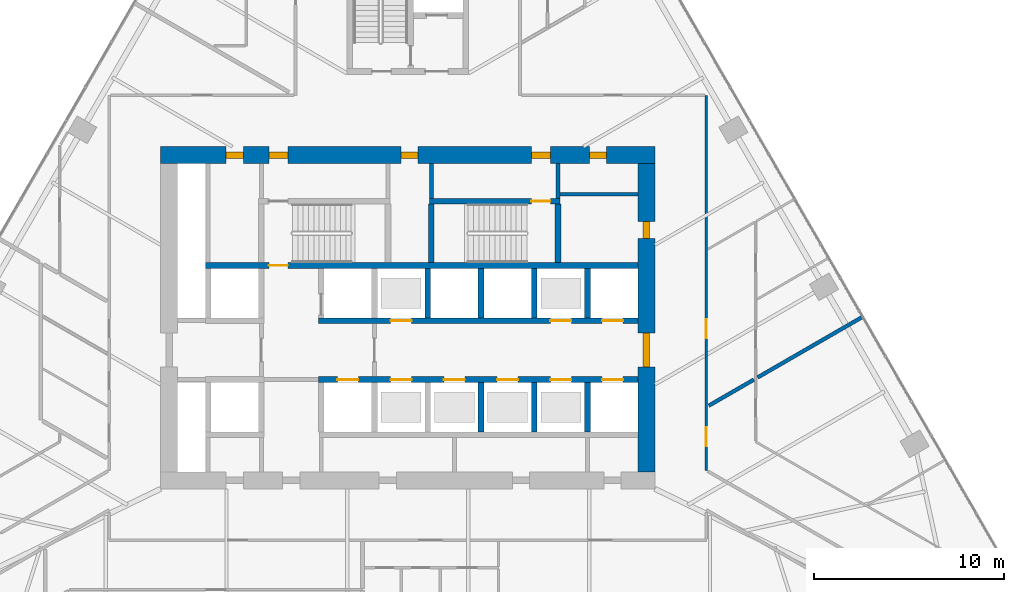
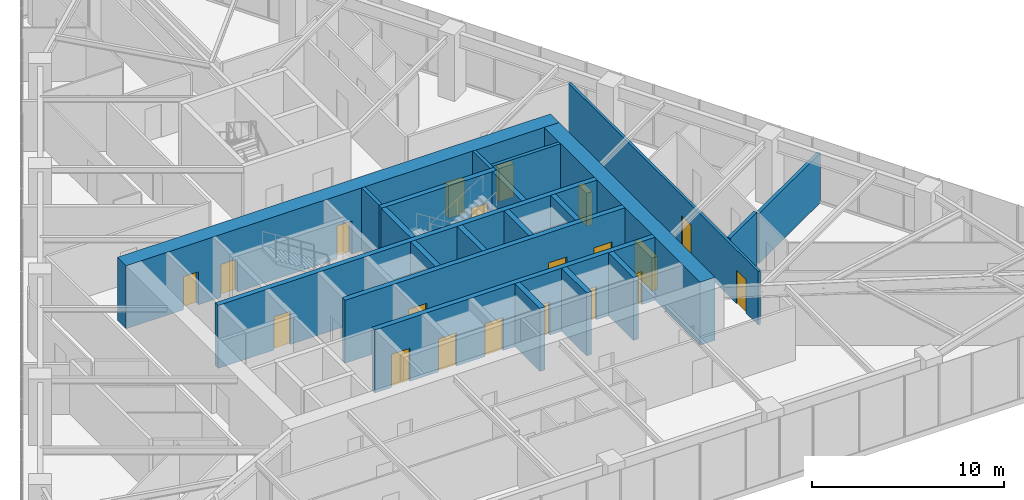
# One storey, part 21 of 25: 21 walls, 20 doors, 20 openings.
"""IFC4 building model written with IfcOpenShell, lengths in metres."""

from ifc_helpers import new_model, si_unit, direction, frame, frame_2d, origin, place, context, subcontext, project, spatial, rectangle, extrude, material, layer, layer_set, type_object, element, fill, save


model = new_model("IFC4")

# Units and contexts
model_context = context("Model", 3, precision=1e-05, world=origin(), true_north=direction((0.0, 1.0)))
body_context = subcontext(model_context, "Body", "Model", "MODEL_VIEW")
ifc_project = project(units=[si_unit("LENGTHUNIT", "METRE"), si_unit("AREAUNIT", "SQUARE_METRE"), si_unit("VOLUMEUNIT", "CUBIC_METRE"), si_unit("PLANEANGLEUNIT", "RADIAN"), si_unit("MASSUNIT", "GRAM", prefix="KILO")], contexts=[model_context])

# Site, building, storey
site_placement = place(None, origin())
site = spatial("IfcSite", under=ifc_project, at=site_placement, CompositionType="ELEMENT")
building_placement = place(site_placement, origin())
building = spatial("IfcBuilding", under=site, at=building_placement, Name="Firuza Gate Tower and Library", CompositionType="ELEMENT")
storey_placement = place(building_placement, frame((0.0, 0.0, 61.0)))
storey = spatial("IfcBuildingStorey", under=building, at=storey_placement, Name="L13", CompositionType="ELEMENT", Elevation=61.0)

# Walls
ifc_material_1 = material(Name="Plasterboard on steel studs", Category="steel")
ifc_layer_1 = layer(ifc_material_1, 0.199951171875)
ifc_layer_set_1 = layer_set([ifc_layer_1], Name="Core partition 200 EI 60")
wall_type_1 = type_object("IfcWallType", Name="Core partition 200 EI 60", PredefinedType="PARTITIONING", material=ifc_layer_set_1)
wall_1_placement = place(storey_placement, frame((83.0, 81.4951171875, 0.0), z_axis=(0.0, 0.0, 1.0), x_axis=(1.0, 0.0, 0.0)))
element("IfcWall", 1, at=wall_1_placement, inside=storey, type_object=wall_type_1, Name="Core partition L13 4", PredefinedType="PARTITIONING", context=body_context, shape_type="SweptSolid", body=[
    extrude(rectangle(XDim=4.10009765625, YDim=0.199951171875, at=frame_2d((2.050048828125, 0.0))), origin(), (0.0, 0.0, 1.0), 4.0),
])
for number, where, z_axis, x_axis, name in (
    (2, (76.239990234375, 81.280029296875, 0.0), (0.0, 0.0, 1.0), (0.0, 1.0, 0.0), "Core partition L13 13"),
    (3, (82.89990234375, 81.280029296875, 0.0), (0.0, 0.0, 1.0), (0.0, 1.0, 0.0), "Core partition L13 15"),
):
    element("IfcWall", number, at=place(storey_placement, frame(where, z_axis=z_axis, x_axis=x_axis)), inside=storey, type_object=wall_type_1, Name=name, PredefinedType="PARTITIONING", context=body_context, shape_type="SweptSolid", body=[
        extrude(rectangle(XDim=1.820068359375, YDim=0.199951171875, at=frame_2d((0.91015625, 0.0))), origin(), (0.0, 0.0, 1.0), 4.0),
    ])

# Wall, openings, doors
ifc_material_2 = material(Name="Concrete C80/95", Category="concrete")
ifc_layer_2 = layer(ifc_material_2, 0.300048828125)
ifc_layer_set_2 = layer_set([ifc_layer_2], Name="Core wall 300 C80/95")
wall_type_2 = type_object("IfcWallType", Name="Core wall 300 C80/95", PredefinedType="SHEAR", material=ifc_layer_set_2)
wall_2_placement = place(storey_placement, frame((70.300048828125, 71.75, 0.0), z_axis=(0.0, 0.0, 1.0), x_axis=(1.0, 0.0, 0.0)))
wall_2 = element("IfcWall", 4, at=wall_2_placement, inside=storey, type_object=wall_type_2, Name="Core wall L13 8", PredefinedType="SHEAR", context=body_context, shape_type="SweptSolid", body=[
    extrude(rectangle(XDim=16.800048828125, YDim=0.300048828125, at=frame_2d((8.39990234375, 0.0))), origin(), (0.0, 0.0, 1.0), 4.0),
])
opening_1_placement = place(wall_2_placement, frame((1.0, 0.0, 0.0)))
opening_1 = element("IfcOpeningElement", 5, at=opening_1_placement, cuts=wall_2, Name="Opening LD-FF1-L13", PredefinedType="OPENING", context=body_context, shape_type="SweptSolid", body=[
    extrude(rectangle(XDim=1.10009765625, YDim=2.10009765625, at=frame_2d((0.550048828125, 1.050048828125))), frame((0.0, 0.16015625, 0.0), z_axis=(0.0, -1.0, 0.0), x_axis=(1.0, 0.0, 0.0)), (0.0, 0.0, 1.0), 0.320068359375),
])
opening_2_placement = place(wall_2_placement, frame((3.800048828125, 0.0, 0.0)))
opening_2 = element("IfcOpeningElement", 6, at=opening_2_placement, cuts=wall_2, Name="Opening LD-LR1-L13", PredefinedType="OPENING", context=body_context, shape_type="SweptSolid", body=[
    extrude(rectangle(XDim=1.10009765625, YDim=2.10009765625, at=frame_2d((0.550048828125, 1.050048828125))), frame((0.0, 0.16015625, 0.0), z_axis=(0.0, -1.0, 0.0), x_axis=(1.0, 0.0, 0.0)), (0.0, 0.0, 1.0), 0.320068359375),
])
opening_3_placement = place(wall_2_placement, frame((6.60009765625, 0.0, 0.0)))
opening_3 = element("IfcOpeningElement", 7, at=opening_3_placement, cuts=wall_2, Name="Opening LD-LR2-L13", PredefinedType="OPENING", context=body_context, shape_type="SweptSolid", body=[
    extrude(rectangle(XDim=1.10009765625, YDim=2.10009765625, at=frame_2d((0.550048828125, 1.050048828125))), frame((0.0, 0.16015625, 0.0), z_axis=(0.0, -1.0, 0.0), x_axis=(1.0, 0.0, 0.0)), (0.0, 0.0, 1.0), 0.320068359375),
])
opening_4_placement = place(wall_2_placement, frame((9.39990234375, 0.0, 0.0)))
opening_4 = element("IfcOpeningElement", 8, at=opening_4_placement, cuts=wall_2, Name="Opening LD-LR3-L13", PredefinedType="OPENING", context=body_context, shape_type="SweptSolid", body=[
    extrude(rectangle(XDim=1.10009765625, YDim=2.10009765625, at=frame_2d((0.550048828125, 1.050048828125))), frame((0.0, 0.16015625, 0.0), z_axis=(0.0, -1.0, 0.0), x_axis=(1.0, 0.0, 0.0)), (0.0, 0.0, 1.0), 0.320068359375),
])
opening_5_placement = place(wall_2_placement, frame((12.199951171875, 0.0, 0.0)))
opening_5 = element("IfcOpeningElement", 9, at=opening_5_placement, cuts=wall_2, Name="Opening LD-LR5-L13", PredefinedType="OPENING", context=body_context, shape_type="SweptSolid", body=[
    extrude(rectangle(XDim=1.10009765625, YDim=2.10009765625, at=frame_2d((0.550048828125, 1.050048828125))), frame((0.0, 0.16015625, 0.0), z_axis=(0.0, -1.0, 0.0), x_axis=(1.0, 0.0, 0.0)), (0.0, 0.0, 1.0), 0.320068359375),
])
opening_6_placement = place(wall_2_placement, frame((14.925048828125, 0.0, 0.0)))
opening_6 = element("IfcOpeningElement", 10, at=opening_6_placement, cuts=wall_2, Name="Opening LD-LR7-L13", PredefinedType="OPENING", context=body_context, shape_type="SweptSolid", body=[
    extrude(rectangle(XDim=1.10009765625, YDim=2.10009765625, at=frame_2d((0.550048828125, 1.050048828125))), frame((0.0, 0.16015625, 0.0), z_axis=(0.0, -1.0, 0.0), x_axis=(1.0, 0.0, 0.0)), (0.0, 0.0, 1.0), 0.320068359375),
])
ifc_material_3 = material(Name="Stainless steel", Category="steel")
door_type_1 = type_object("IfcDoorType", Name="Lift landing door 1100x2100", OperationType="DOUBLE_DOOR_SLIDING", PredefinedType="DOOR", material=ifc_material_3)
door_1_placement = place(opening_1_placement, origin())
door_1 = element("IfcDoor", 11, at=door_1_placement, inside=storey, type_object=door_type_1, Name="Landing door FF1 L13", OperationType="DOUBLE_DOOR_SLIDING", OverallHeight=2.10009765625, OverallWidth=1.10009765625, PredefinedType="DOOR", context=body_context, shape_type="SweptSolid", body=[
    extrude(rectangle(XDim=1.10009765625, YDim=2.10009765625, at=frame_2d((0.550048828125, 1.050048828125))), frame((0.0, 0.02490234375, 0.0), z_axis=(0.0, -1.0, 0.0), x_axis=(1.0, 0.0, 0.0)), (0.0, 0.0, 1.0), 0.050048828125),
])
fill(opening_1, door_1)
door_2_placement = place(opening_2_placement, origin())
door_2 = element("IfcDoor", 12, at=door_2_placement, inside=storey, type_object=door_type_1, Name="Landing door LR1 L13", OperationType="DOUBLE_DOOR_SLIDING", OverallHeight=2.10009765625, OverallWidth=1.10009765625, PredefinedType="DOOR", context=body_context, shape_type="SweptSolid", body=[
    extrude(rectangle(XDim=1.10009765625, YDim=2.10009765625, at=frame_2d((0.550048828125, 1.050048828125))), frame((0.0, 0.02490234375, 0.0), z_axis=(0.0, -1.0, 0.0), x_axis=(1.0, 0.0, 0.0)), (0.0, 0.0, 1.0), 0.050048828125),
])
fill(opening_2, door_2)
door_3_placement = place(opening_3_placement, origin())
door_3 = element("IfcDoor", 13, at=door_3_placement, inside=storey, type_object=door_type_1, Name="Landing door LR2 L13", OperationType="DOUBLE_DOOR_SLIDING", OverallHeight=2.10009765625, OverallWidth=1.10009765625, PredefinedType="DOOR", context=body_context, shape_type="SweptSolid", body=[
    extrude(rectangle(XDim=1.10009765625, YDim=2.10009765625, at=frame_2d((0.550048828125, 1.050048828125))), frame((0.0, 0.02490234375, 0.0), z_axis=(0.0, -1.0, 0.0), x_axis=(1.0, 0.0, 0.0)), (0.0, 0.0, 1.0), 0.050048828125),
])
fill(opening_3, door_3)
door_4_placement = place(opening_4_placement, origin())
door_4 = element("IfcDoor", 14, at=door_4_placement, inside=storey, type_object=door_type_1, Name="Landing door LR3 L13", OperationType="DOUBLE_DOOR_SLIDING", OverallHeight=2.10009765625, OverallWidth=1.10009765625, PredefinedType="DOOR", context=body_context, shape_type="SweptSolid", body=[
    extrude(rectangle(XDim=1.10009765625, YDim=2.10009765625, at=frame_2d((0.550048828125, 1.050048828125))), frame((0.0, 0.02490234375, 0.0), z_axis=(0.0, -1.0, 0.0), x_axis=(1.0, 0.0, 0.0)), (0.0, 0.0, 1.0), 0.050048828125),
])
fill(opening_4, door_4)
door_5_placement = place(opening_5_placement, origin())
door_5 = element("IfcDoor", 15, at=door_5_placement, inside=storey, type_object=door_type_1, Name="Landing door LR5 L13", OperationType="DOUBLE_DOOR_SLIDING", OverallHeight=2.10009765625, OverallWidth=1.10009765625, PredefinedType="DOOR", context=body_context, shape_type="SweptSolid", body=[
    extrude(rectangle(XDim=1.10009765625, YDim=2.10009765625, at=frame_2d((0.550048828125, 1.050048828125))), frame((0.0, 0.02490234375, 0.0), z_axis=(0.0, -1.0, 0.0), x_axis=(1.0, 0.0, 0.0)), (0.0, 0.0, 1.0), 0.050048828125),
])
fill(opening_5, door_5)
door_6_placement = place(opening_6_placement, origin())
door_6 = element("IfcDoor", 16, at=door_6_placement, inside=storey, type_object=door_type_1, Name="Landing door LR7 L13", OperationType="DOUBLE_DOOR_SLIDING", OverallHeight=2.10009765625, OverallWidth=1.10009765625, PredefinedType="DOOR", context=body_context, shape_type="SweptSolid", body=[
    extrude(rectangle(XDim=1.10009765625, YDim=2.10009765625, at=frame_2d((0.550048828125, 1.050048828125))), frame((0.0, 0.02490234375, 0.0), z_axis=(0.0, -1.0, 0.0), x_axis=(1.0, 0.0, 0.0)), (0.0, 0.0, 1.0), 0.050048828125),
])
fill(opening_6, door_6)

wall_3_placement = place(storey_placement, frame((70.300048828125, 74.85009765625, 0.0), z_axis=(0.0, 0.0, 1.0), x_axis=(1.0, 0.0, 0.0)))
wall_3 = element("IfcWall", 17, at=wall_3_placement, inside=storey, type_object=wall_type_2, Name="Core wall L13 10", PredefinedType="SHEAR", context=body_context, shape_type="SweptSolid", body=[
    extrude(rectangle(XDim=16.800048828125, YDim=0.300048828125, at=frame_2d((8.39990234375, 0.0))), origin(), (0.0, 0.0, 1.0), 4.0),
])
opening_7_placement = place(wall_3_placement, frame((3.800048828125, 0.0, 0.0)))
opening_7 = element("IfcOpeningElement", 18, at=opening_7_placement, cuts=wall_3, Name="Opening LD-LR4-L13", PredefinedType="OPENING", context=body_context, shape_type="SweptSolid", body=[
    extrude(rectangle(XDim=1.10009765625, YDim=2.10009765625, at=frame_2d((0.550048828125, 1.050048828125))), frame((0.0, 0.16015625, 0.0), z_axis=(0.0, -1.0, 0.0), x_axis=(1.0, 0.0, 0.0)), (0.0, 0.0, 1.0), 0.320068359375),
])
opening_8_placement = place(wall_3_placement, frame((12.199951171875, 0.0, 0.0)))
opening_8 = element("IfcOpeningElement", 19, at=opening_8_placement, cuts=wall_3, Name="Opening LD-LR6-L13", PredefinedType="OPENING", context=body_context, shape_type="SweptSolid", body=[
    extrude(rectangle(XDim=1.10009765625, YDim=2.10009765625, at=frame_2d((0.550048828125, 1.050048828125))), frame((0.0, 0.16015625, 0.0), z_axis=(0.0, -1.0, 0.0), x_axis=(1.0, 0.0, 0.0)), (0.0, 0.0, 1.0), 0.320068359375),
])
opening_9_placement = place(wall_3_placement, frame((14.925048828125, 0.0, 0.0)))
opening_9 = element("IfcOpeningElement", 20, at=opening_9_placement, cuts=wall_3, Name="Opening LD-LR8-L13", PredefinedType="OPENING", context=body_context, shape_type="SweptSolid", body=[
    extrude(rectangle(XDim=1.10009765625, YDim=2.10009765625, at=frame_2d((0.550048828125, 1.050048828125))), frame((0.0, 0.16015625, 0.0), z_axis=(0.0, -1.0, 0.0), x_axis=(1.0, 0.0, 0.0)), (0.0, 0.0, 1.0), 0.320068359375),
])
door_7_placement = place(opening_7_placement, origin())
door_7 = element("IfcDoor", 21, at=door_7_placement, inside=storey, type_object=door_type_1, Name="Landing door LR4 L13", OperationType="DOUBLE_DOOR_SLIDING", OverallHeight=2.10009765625, OverallWidth=1.10009765625, PredefinedType="DOOR", context=body_context, shape_type="SweptSolid", body=[
    extrude(rectangle(XDim=1.10009765625, YDim=2.10009765625, at=frame_2d((0.550048828125, 1.050048828125))), frame((0.0, 0.02490234375, 0.0), z_axis=(0.0, -1.0, 0.0), x_axis=(1.0, 0.0, 0.0)), (0.0, 0.0, 1.0), 0.050048828125),
])
fill(opening_7, door_7)
door_8_placement = place(opening_8_placement, origin())
door_8 = element("IfcDoor", 22, at=door_8_placement, inside=storey, type_object=door_type_1, Name="Landing door LR6 L13", OperationType="DOUBLE_DOOR_SLIDING", OverallHeight=2.10009765625, OverallWidth=1.10009765625, PredefinedType="DOOR", context=body_context, shape_type="SweptSolid", body=[
    extrude(rectangle(XDim=1.10009765625, YDim=2.10009765625, at=frame_2d((0.550048828125, 1.050048828125))), frame((0.0, 0.02490234375, 0.0), z_axis=(0.0, -1.0, 0.0), x_axis=(1.0, 0.0, 0.0)), (0.0, 0.0, 1.0), 0.050048828125),
])
fill(opening_8, door_8)
door_9_placement = place(opening_9_placement, origin())
door_9 = element("IfcDoor", 23, at=door_9_placement, inside=storey, type_object=door_type_1, Name="Landing door LR8 L13", OperationType="DOUBLE_DOOR_SLIDING", OverallHeight=2.10009765625, OverallWidth=1.10009765625, PredefinedType="DOOR", context=body_context, shape_type="SweptSolid", body=[
    extrude(rectangle(XDim=1.10009765625, YDim=2.10009765625, at=frame_2d((0.550048828125, 1.050048828125))), frame((0.0, 0.02490234375, 0.0), z_axis=(0.0, -1.0, 0.0), x_axis=(1.0, 0.0, 0.0)), (0.0, 0.0, 1.0), 0.050048828125),
])
fill(opening_9, door_9)

# Walls
for number, where, z_axis, x_axis, name in (
    (24, (76.050048828125, 75.0, 0.0), (0.0, 0.0, 1.0), (0.0, 1.0, 0.0), "Core wall L13 20"),
    (25, (78.85009765625, 69.0, 0.0), (0.0, 0.0, 1.0), (0.0, 1.0, 0.0), "Core wall L13 21"),
    (26, (78.85009765625, 75.0, 0.0), (0.0, 0.0, 1.0), (0.0, 1.0, 0.0), "Core wall L13 22"),
    (27, (81.64990234375, 69.0, 0.0), (0.0, 0.0, 1.0), (0.0, 1.0, 0.0), "Core wall L13 23"),
    (28, (81.64990234375, 75.0, 0.0), (0.0, 0.0, 1.0), (0.0, 1.0, 0.0), "Core wall L13 24"),
    (29, (84.449951171875, 69.0, 0.0), (0.0, 0.0, 1.0), (0.0, 1.0, 0.0), "Core wall L13 25"),
    (30, (84.449951171875, 75.0, 0.0), (0.0, 0.0, 1.0), (0.0, 1.0, 0.0), "Core wall L13 26"),
):
    element("IfcWall", number, at=place(storey_placement, frame(where, z_axis=z_axis, x_axis=x_axis)), inside=storey, type_object=wall_type_2, Name=name, PredefinedType="SHEAR", context=body_context, shape_type="SweptSolid", body=[
        extrude(rectangle(XDim=2.60009765625, YDim=0.300048828125, at=frame_2d((1.300048828125, 0.0))), origin(), (0.0, 0.0, 1.0), 4.0),
    ])

# Wall, opening, door
wall_4_placement = place(storey_placement, frame((64.35009765625, 77.75, 0.0), z_axis=(0.0, 0.0, 1.0), x_axis=(1.0, 0.0, 0.0)))
wall_4 = element("IfcWall", 31, at=wall_4_placement, inside=storey, type_object=wall_type_2, Name="Core wall L13 27", PredefinedType="SHEAR", context=body_context, shape_type="SweptSolid", body=[
    extrude(rectangle(XDim=22.75, YDim=0.300048828125, at=frame_2d((11.375, 0.0))), origin(), (0.0, 0.0, 1.0), 4.0),
])
opening_10_placement = place(wall_4_placement, frame((3.344970703125, 0.0, 0.0)))
opening_10 = element("IfcOpeningElement", 32, at=opening_10_placement, cuts=wall_4, Name="Opening L13-K12", PredefinedType="OPENING", context=body_context, shape_type="SweptSolid", body=[
    extrude(rectangle(XDim=1.0, YDim=2.10009765625, at=frame_2d((0.5, 1.050048828125))), frame((0.0, 0.16015625, 0.0), z_axis=(0.0, -1.0, 0.0), x_axis=(1.0, 0.0, 0.0)), (0.0, 0.0, 1.0), 0.320068359375),
])
ifc_material_4 = material(Name="Steel", Category="steel")
door_type_2 = type_object("IfcDoorType", Name="Fire door 1000x2100 FD90", OperationType="NOTDEFINED", PredefinedType="DOOR", material=ifc_material_4)
door_10_placement = place(opening_10_placement, origin())
door_10 = element("IfcDoor", 33, at=door_10_placement, inside=storey, type_object=door_type_2, Name="Door L13-K12", OperationType="SINGLE_SWING_LEFT", OverallHeight=2.10009765625, OverallWidth=1.0, PredefinedType="DOOR", context=body_context, shape_type="SweptSolid", body=[
    extrude(rectangle(XDim=1.0, YDim=2.10009765625, at=frame_2d((0.5, 1.050048828125))), frame((0.0, 0.02490234375, 0.0), z_axis=(0.0, -1.0, 0.0), x_axis=(1.0, 0.0, 0.0)), (0.0, 0.0, 1.0), 0.050048828125),
])
fill(opening_10, door_10)

wall_5_placement = place(storey_placement, frame((76.139892578125, 81.1298828125, 0.0), z_axis=(0.0, 0.0, 1.0), x_axis=(1.0, 0.0, 0.0)))
wall_5 = element("IfcWall", 34, at=wall_5_placement, inside=storey, type_object=wall_type_2, Name="Core wall L13 29", PredefinedType="SHEAR", context=body_context, shape_type="SweptSolid", body=[
    extrude(rectangle(XDim=6.860107421875, YDim=0.300048828125, at=frame_2d((3.43017578125, 0.0))), origin(), (0.0, 0.0, 1.0), 4.0),
])
opening_11_placement = place(wall_5_placement, frame((5.364990234375, 0.0, 0.0)))
opening_11 = element("IfcOpeningElement", 35, at=opening_11_placement, cuts=wall_5, Name="Opening L13-K15", PredefinedType="OPENING", context=body_context, shape_type="SweptSolid", body=[
    extrude(rectangle(XDim=1.0, YDim=2.10009765625, at=frame_2d((0.5, 1.050048828125))), frame((0.0, 0.16015625, 0.0), z_axis=(0.0, -1.0, 0.0), x_axis=(1.0, 0.0, 0.0)), (0.0, 0.0, 1.0), 0.320068359375),
])
door_11_placement = place(opening_11_placement, origin())
door_11 = element("IfcDoor", 36, at=door_11_placement, inside=storey, type_object=door_type_2, Name="Door L13-K15", OperationType="SINGLE_SWING_RIGHT", OverallHeight=2.10009765625, OverallWidth=1.0, PredefinedType="DOOR", context=body_context, shape_type="SweptSolid", body=[
    extrude(rectangle(XDim=1.0, YDim=2.10009765625, at=frame_2d((0.5, 1.050048828125))), frame((0.0, 0.02490234375, 0.0), z_axis=(0.0, -1.0, 0.0), x_axis=(1.0, 0.0, 0.0)), (0.0, 0.0, 1.0), 0.050048828125),
])
fill(opening_11, door_11)

# Walls
for number, where, z_axis, x_axis, name in (
    (37, (76.239990234375, 77.89990234375, 0.0), (0.0, 0.0, 1.0), (0.0, 1.0, 0.0), "Core wall L13 32"),
    (38, (82.89990234375, 77.89990234375, 0.0), (0.0, 0.0, 1.0), (0.0, 1.0, 0.0), "Core wall L13 33"),
):
    element("IfcWall", number, at=place(storey_placement, frame(where, z_axis=z_axis, x_axis=x_axis)), inside=storey, type_object=wall_type_2, Name=name, PredefinedType="SHEAR", context=body_context, shape_type="SweptSolid", body=[
        extrude(rectangle(XDim=3.080078125, YDim=0.300048828125, at=frame_2d((1.5400390625, 0.0))), origin(), (0.0, 0.0, 1.0), 4.0),
    ])

# Wall, openings, doors
ifc_material_5 = material(Name="Concrete C80/95", Category="concrete")
ifc_layer_3 = layer(ifc_material_5, 0.89990234375)
ifc_layer_set_3 = layer_set([ifc_layer_3], Name="Core wall 900 C80/95")
wall_type_3 = type_object("IfcWallType", Name="Core wall 900 C80/95", PredefinedType="SHEAR", material=ifc_layer_set_3)
wall_6_placement = place(storey_placement, frame((62.0, 83.550048828125, 0.0), z_axis=(0.0, 0.0, 1.0), x_axis=(1.0, 0.0, 0.0)))
wall_6 = element("IfcWall", 39, at=wall_6_placement, inside=storey, type_object=wall_type_3, Name="Core wall L13 2", PredefinedType="SHEAR", context=body_context, shape_type="SweptSolid", body=[
    extrude(rectangle(XDim=26.0, YDim=0.89990234375, at=frame_2d((13.0, 0.0))), origin(), (0.0, 0.0, 1.0), 4.0),
])
opening_12_placement = place(wall_6_placement, frame((5.695068359375, 0.0, 0.0)))
opening_12 = element("IfcOpeningElement", 40, at=opening_12_placement, cuts=wall_6, Name="Opening L13-K14", PredefinedType="OPENING", context=body_context, shape_type="SweptSolid", body=[
    extrude(rectangle(XDim=1.0, YDim=2.10009765625, at=frame_2d((0.5, 1.050048828125))), frame((0.0, 0.4599609375, 0.0), z_axis=(0.0, -1.0, 0.0), x_axis=(1.0, 0.0, 0.0)), (0.0, 0.0, 1.0), 0.919921875),
])
opening_13_placement = place(wall_6_placement, frame((19.5048828125, 0.0, 0.0)))
opening_13 = element("IfcOpeningElement", 41, at=opening_13_placement, cuts=wall_6, Name="Opening L13-K16", PredefinedType="OPENING", context=body_context, shape_type="SweptSolid", body=[
    extrude(rectangle(XDim=1.0, YDim=2.10009765625, at=frame_2d((0.5, 1.050048828125))), frame((0.0, 0.4599609375, 0.0), z_axis=(0.0, -1.0, 0.0), x_axis=(1.0, 0.0, 0.0)), (0.0, 0.0, 1.0), 0.919921875),
])
opening_14_placement = place(wall_6_placement, frame((3.449951171875, 0.0, 0.0)))
opening_14 = element("IfcOpeningElement", 42, at=opening_14_placement, cuts=wall_6, Name="Opening L13-K29", PredefinedType="OPENING", context=body_context, shape_type="SweptSolid", body=[
    extrude(rectangle(XDim=0.89990234375, YDim=2.10009765625, at=frame_2d((0.449951171875, 1.050048828125))), frame((0.0, 0.4599609375, 0.0), z_axis=(0.0, -1.0, 0.0), x_axis=(1.0, 0.0, 0.0)), (0.0, 0.0, 1.0), 0.919921875),
])
opening_15_placement = place(wall_6_placement, frame((12.64990234375, 0.0, 0.0)))
opening_15 = element("IfcOpeningElement", 43, at=opening_15_placement, cuts=wall_6, Name="Opening L13-K30", PredefinedType="OPENING", context=body_context, shape_type="SweptSolid", body=[
    extrude(rectangle(XDim=0.89990234375, YDim=2.10009765625, at=frame_2d((0.449951171875, 1.050048828125))), frame((0.0, 0.4599609375, 0.0), z_axis=(0.0, -1.0, 0.0), x_axis=(1.0, 0.0, 0.0)), (0.0, 0.0, 1.0), 0.919921875),
])
opening_16_placement = place(wall_6_placement, frame((22.550048828125, 0.0, 0.0)))
opening_16 = element("IfcOpeningElement", 44, at=opening_16_placement, cuts=wall_6, Name="Opening L13-K32", PredefinedType="OPENING", context=body_context, shape_type="SweptSolid", body=[
    extrude(rectangle(XDim=0.89990234375, YDim=2.10009765625, at=frame_2d((0.449951171875, 1.050048828125))), frame((0.0, 0.4599609375, 0.0), z_axis=(0.0, -1.0, 0.0), x_axis=(1.0, 0.0, 0.0)), (0.0, 0.0, 1.0), 0.919921875),
])
door_12_placement = place(opening_12_placement, origin())
door_12 = element("IfcDoor", 45, at=door_12_placement, inside=storey, type_object=door_type_2, Name="Door L13-K14", OperationType="SINGLE_SWING_LEFT", OverallHeight=2.10009765625, OverallWidth=1.0, PredefinedType="DOOR", context=body_context, shape_type="SweptSolid", body=[
    extrude(rectangle(XDim=1.0, YDim=2.10009765625, at=frame_2d((0.5, 1.050048828125))), frame((0.0, 0.169921875, 0.0), z_axis=(0.0, -1.0, 0.0), x_axis=(1.0, 0.0, 0.0)), (0.0, 0.0, 1.0), 0.33984375),
])
fill(opening_12, door_12)
door_13_placement = place(opening_13_placement, origin())
door_13 = element("IfcDoor", 46, at=door_13_placement, inside=storey, type_object=door_type_2, Name="Door L13-K16", OperationType="SINGLE_SWING_LEFT", OverallHeight=2.10009765625, OverallWidth=1.0, PredefinedType="DOOR", context=body_context, shape_type="SweptSolid", body=[
    extrude(rectangle(XDim=1.0, YDim=2.10009765625, at=frame_2d((0.5, 1.050048828125))), frame((0.0, 0.169921875, 0.0), z_axis=(0.0, -1.0, 0.0), x_axis=(1.0, 0.0, 0.0)), (0.0, 0.0, 1.0), 0.33984375),
])
fill(opening_13, door_13)
ifc_material_6 = material(Name="Steel", Category="steel")
door_type_3 = type_object("IfcDoorType", Name="Fire door 900x2100 FD30S", OperationType="NOTDEFINED", PredefinedType="DOOR", material=ifc_material_6)
door_14_placement = place(opening_14_placement, origin())
door_14 = element("IfcDoor", 47, at=door_14_placement, inside=storey, type_object=door_type_3, Name="Door L13-K29", OperationType="SINGLE_SWING_RIGHT", OverallHeight=2.10009765625, OverallWidth=0.89990234375, PredefinedType="DOOR", context=body_context, shape_type="SweptSolid", body=[
    extrude(rectangle(XDim=0.89990234375, YDim=2.10009765625, at=frame_2d((0.449951171875, 1.050048828125))), frame((0.0, 0.169921875, 0.0), z_axis=(0.0, -1.0, 0.0), x_axis=(1.0, 0.0, 0.0)), (0.0, 0.0, 1.0), 0.33984375),
])
fill(opening_14, door_14)
door_15_placement = place(opening_15_placement, origin())
door_15 = element("IfcDoor", 48, at=door_15_placement, inside=storey, type_object=door_type_3, Name="Door L13-K30", OperationType="SINGLE_SWING_LEFT", OverallHeight=2.10009765625, OverallWidth=0.89990234375, PredefinedType="DOOR", context=body_context, shape_type="SweptSolid", body=[
    extrude(rectangle(XDim=0.89990234375, YDim=2.10009765625, at=frame_2d((0.449951171875, 1.050048828125))), frame((0.0, 0.169921875, 0.0), z_axis=(0.0, -1.0, 0.0), x_axis=(1.0, 0.0, 0.0)), (0.0, 0.0, 1.0), 0.33984375),
])
fill(opening_15, door_15)
door_16_placement = place(opening_16_placement, origin())
door_16 = element("IfcDoor", 49, at=door_16_placement, inside=storey, type_object=door_type_3, Name="Door L13-K32", OperationType="SINGLE_SWING_LEFT", OverallHeight=2.10009765625, OverallWidth=0.89990234375, PredefinedType="DOOR", context=body_context, shape_type="SweptSolid", body=[
    extrude(rectangle(XDim=0.89990234375, YDim=2.10009765625, at=frame_2d((0.449951171875, 1.050048828125))), frame((0.0, 0.169921875, 0.0), z_axis=(0.0, -1.0, 0.0), x_axis=(1.0, 0.0, 0.0)), (0.0, 0.0, 1.0), 0.33984375),
])
fill(opening_16, door_16)

wall_7_placement = place(storey_placement, frame((87.550048828125, 66.89990234375, 0.0), z_axis=(0.0, 0.0, 1.0), x_axis=(0.0, 1.0, 0.0)))
wall_7 = element("IfcWall", 50, at=wall_7_placement, inside=storey, type_object=wall_type_3, Name="Core wall L13 4", PredefinedType="SHEAR", context=body_context, shape_type="SweptSolid", body=[
    extrude(rectangle(XDim=16.2001953125, YDim=0.89990234375, at=frame_2d((8.10009765625, 0.0))), origin(), (0.0, 0.0, 1.0), 4.0),
])
opening_17_placement = place(wall_7_placement, frame((5.5, 0.0, 0.0)))
opening_17 = element("IfcOpeningElement", 51, at=opening_17_placement, cuts=wall_7, Name="Opening L13-K23", PredefinedType="OPENING", context=body_context, shape_type="SweptSolid", body=[
    extrude(rectangle(XDim=1.800048828125, YDim=2.10009765625, at=frame_2d((0.89990234375, 1.050048828125))), frame((0.0, 0.4599609375, 0.0), z_axis=(0.0, -1.0, 0.0), x_axis=(1.0, 0.0, 0.0)), (0.0, 0.0, 1.0), 0.919921875),
])
opening_18_placement = place(wall_7_placement, frame((12.2724609375, 0.0, 0.0)))
opening_18 = element("IfcOpeningElement", 52, at=opening_18_placement, cuts=wall_7, Name="Opening L13-K31", PredefinedType="OPENING", context=body_context, shape_type="SweptSolid", body=[
    extrude(rectangle(XDim=0.89990234375, YDim=2.10009765625, at=frame_2d((0.449951171875, 1.050048828125))), frame((0.0, 0.4599609375, 0.0), z_axis=(0.0, -1.0, 0.0), x_axis=(1.0, 0.0, 0.0)), (0.0, 0.0, 1.0), 0.919921875),
])
ifc_material_7 = material(Name="Steel", Category="steel")
door_type_4 = type_object("IfcDoorType", Name="Fire door 1800x2100 FD30S", OperationType="NOTDEFINED", PredefinedType="DOOR", material=ifc_material_7)
door_17_placement = place(opening_17_placement, origin())
door_17 = element("IfcDoor", 53, at=door_17_placement, inside=storey, type_object=door_type_4, Name="Door L13-K23", OperationType="SINGLE_SWING_RIGHT", OverallHeight=2.10009765625, OverallWidth=1.800048828125, PredefinedType="DOOR", context=body_context, shape_type="SweptSolid", body=[
    extrude(rectangle(XDim=1.800048828125, YDim=2.10009765625, at=frame_2d((0.89990234375, 1.050048828125))), frame((0.0, 0.169921875, 0.0), z_axis=(0.0, -1.0, 0.0), x_axis=(1.0, 0.0, 0.0)), (0.0, 0.0, 1.0), 0.33984375),
])
fill(opening_17, door_17)
door_18_placement = place(opening_18_placement, origin())
door_18 = element("IfcDoor", 54, at=door_18_placement, inside=storey, type_object=door_type_3, Name="Door L13-K31", OperationType="SINGLE_SWING_RIGHT", OverallHeight=2.10009765625, OverallWidth=0.89990234375, PredefinedType="DOOR", context=body_context, shape_type="SweptSolid", body=[
    extrude(rectangle(XDim=0.89990234375, YDim=2.10009765625, at=frame_2d((0.449951171875, 1.050048828125))), frame((0.0, 0.169921875, 0.0), z_axis=(0.0, -1.0, 0.0), x_axis=(1.0, 0.0, 0.0)), (0.0, 0.0, 1.0), 0.33984375),
])
fill(opening_18, door_18)

ifc_material_8 = material(Name="Gypsum board partition")
ifc_layer_4 = layer(ifc_material_8, 0.14990234375)
ifc_layer_set_4 = layer_set([ifc_layer_4], Name="Corridor wall 150 double board on steel studs")
wall_type_4 = type_object("IfcWallType", Name="Corridor wall 150 double board on steel studs", PredefinedType="PARTITIONING", material=ifc_layer_set_4)
wall_8_placement = place(storey_placement, frame((90.699951171875, 86.699462890625, 0.0), z_axis=(0.0, 0.0, 1.0), x_axis=(0.0, -1.0, 0.0)))
wall_8 = element("IfcWall", 55, at=wall_8_placement, inside=storey, type_object=wall_type_4, Name="f:L13:w030", PredefinedType="PARTITIONING", context=body_context, shape_type="SweptSolid", body=[
    extrude(rectangle(XDim=19.724609375, YDim=0.14990234375, at=frame_2d((9.8623046875, 0.0))), origin(), (0.0, 0.0, 1.0), 3.39990234375),
])
opening_19_placement = place(wall_8_placement, frame((11.76806640625, 0.0, 0.0)))
opening_19 = element("IfcOpeningElement", 56, at=opening_19_placement, cuts=wall_8, Name="Opening L13-20", PredefinedType="OPENING", context=body_context, shape_type="SweptSolid", body=[
    extrude(rectangle(XDim=1.0, YDim=2.10009765625, at=frame_2d((0.5, 1.050048828125))), frame((0.0, 0.0849609375, 0.0), z_axis=(0.0, -1.0, 0.0), x_axis=(1.0, 0.0, 0.0)), (0.0, 0.0, 1.0), 0.169921875),
])
opening_20_placement = place(wall_8_placement, frame((17.458984375, 0.0, 0.0)))
opening_20 = element("IfcOpeningElement", 57, at=opening_20_placement, cuts=wall_8, Name="Opening L13-21", PredefinedType="OPENING", context=body_context, shape_type="SweptSolid", body=[
    extrude(rectangle(XDim=1.0, YDim=2.10009765625, at=frame_2d((0.5, 1.050048828125))), frame((0.0, 0.0849609375, 0.0), z_axis=(0.0, -1.0, 0.0), x_axis=(1.0, 0.0, 0.0)), (0.0, 0.0, 1.0), 0.169921875),
])
ifc_material_9 = material(Name="Steel door and timber leaf", Category="steel")
door_type_5 = type_object("IfcDoorType", Name="Fire door 1000 x 2100 steel frame, timber leaf", OperationType="NOTDEFINED", PredefinedType="DOOR", material=ifc_material_9)
door_19_placement = place(opening_19_placement, origin())
door_19 = element("IfcDoor", 58, at=door_19_placement, inside=storey, type_object=door_type_5, Name="f:L13:d020", OperationType="SINGLE_SWING_RIGHT", OverallHeight=2.10009765625, OverallWidth=1.0, PredefinedType="DOOR", context=body_context, shape_type="SweptSolid", body=[
    extrude(rectangle(XDim=1.0, YDim=2.10009765625, at=frame_2d((0.5, 1.050048828125))), frame((0.0, 0.02490234375, 0.0), z_axis=(0.0, -1.0, 0.0), x_axis=(1.0, 0.0, 0.0)), (0.0, 0.0, 1.0), 0.050048828125),
])
fill(opening_19, door_19)
door_20_placement = place(opening_20_placement, origin())
door_20 = element("IfcDoor", 59, at=door_20_placement, inside=storey, type_object=door_type_5, Name="f:L13:d021", OperationType="SINGLE_SWING_LEFT", OverallHeight=2.10009765625, OverallWidth=1.0, PredefinedType="DOOR", context=body_context, shape_type="SweptSolid", body=[
    extrude(rectangle(XDim=1.0, YDim=2.10009765625, at=frame_2d((0.5, 1.050048828125))), frame((0.0, 0.02490234375, 0.0), z_axis=(0.0, -1.0, 0.0), x_axis=(1.0, 0.0, 0.0)), (0.0, 0.0, 1.0), 0.050048828125),
])
fill(opening_20, door_20)

# Walls
ifc_material_10 = material(Name="Gypsum board partition")
ifc_layer_5 = layer(ifc_material_10, 0.199951171875)
ifc_layer_set_5 = layer_set([ifc_layer_5], Name="Demising wall 200 acoustic double stud")
wall_type_5 = type_object("IfcWallType", Name="Demising wall 200 acoustic double stud", PredefinedType="PARTITIONING", material=ifc_layer_set_5)
wall_9_placement = place(storey_placement, frame((90.826904296875, 70.3759765625, 0.0), z_axis=(0.0, 0.0, 1.0), x_axis=(0.866019409031, 0.500010383074, 0.0)))
element("IfcWall", 60, at=wall_9_placement, inside=storey, type_object=wall_type_5, Name="f:L13:w013", PredefinedType="PARTITIONING", context=body_context, shape_type="SweptSolid", body=[
    extrude(rectangle(XDim=2.740234375, YDim=0.199951171875, at=frame_2d((1.3701171875, 0.0))), origin(), (0.0, 0.0, 1.0), 3.39990234375),
])
wall_10_placement = place(storey_placement, frame((93.39990234375, 71.861572265625, 0.0), z_axis=(0.0, 0.0, 1.0), x_axis=(0.866018247172, 0.500012395411, 0.0)))
element("IfcWall", 61, at=wall_10_placement, inside=storey, type_object=wall_type_5, Name="f:L13:w069", PredefinedType="PARTITIONING", context=body_context, shape_type="SweptSolid", body=[
    extrude(rectangle(XDim=6.365478515625, YDim=0.199951171875, at=frame_2d((3.1826171875, 0.0))), origin(), (0.0, 0.0, 1.0), 3.1650390625),
])

save(model, "model.ifc")
